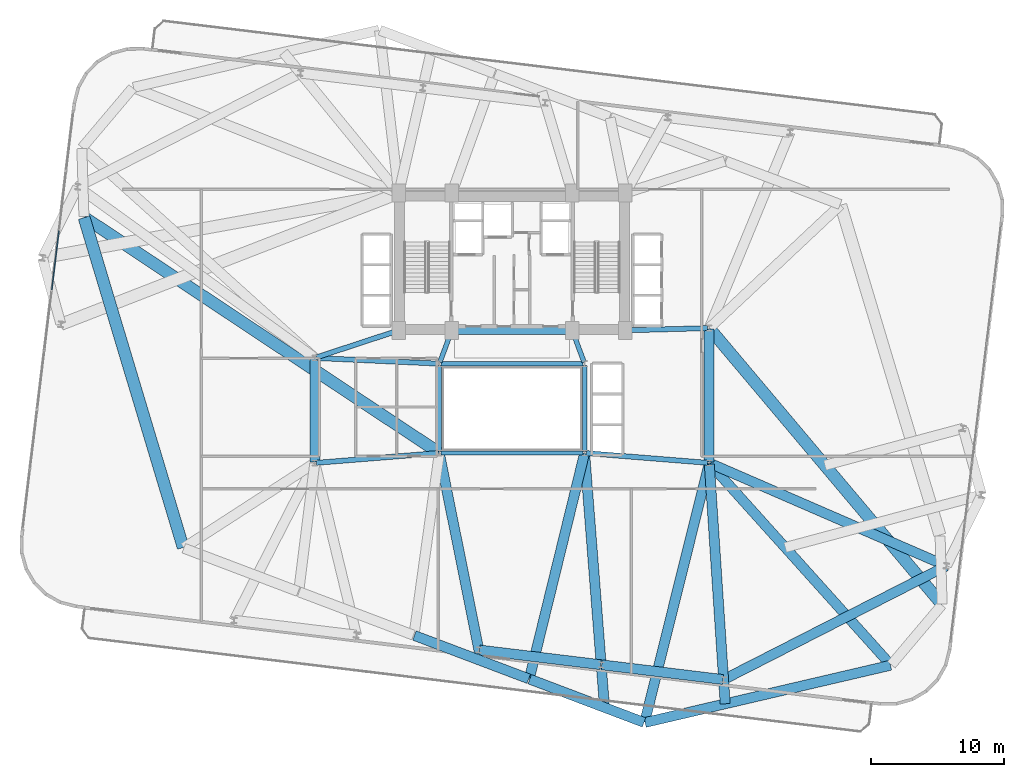
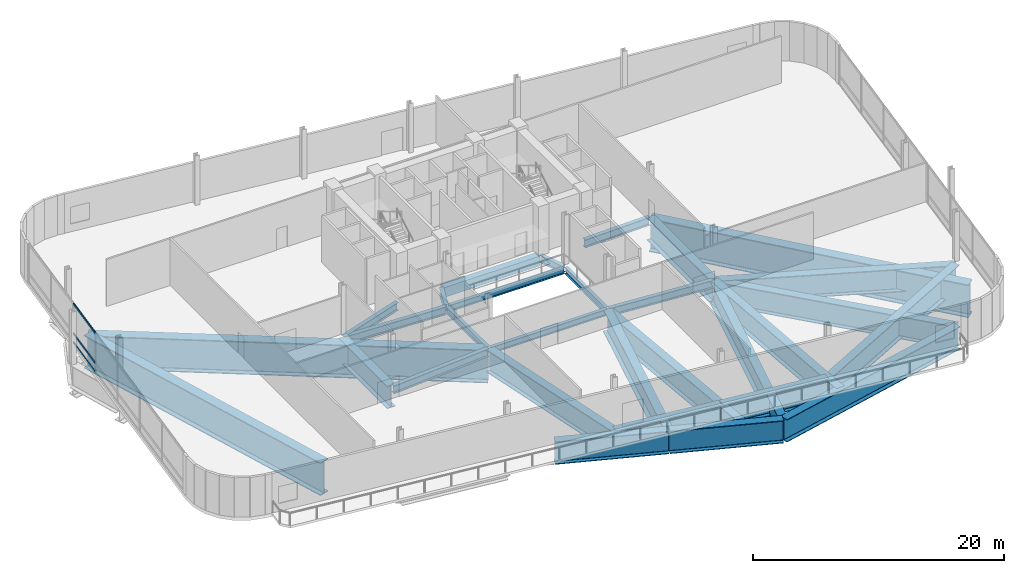
# One storey, part 5 of 22: 30 beams, 3 members, 1 element without a shape of its own.
"""IFC4 building model written with IfcOpenShell, lengths in metres."""

from ifc_helpers import new_model, si_unit, direction, frame, origin, origin_2d, place, context, subcontext, project, spatial, rectangle, hollow_rectangle, i_section, extrude, material, layer, layer_set, material_profile, profile_set, type_object, element, aggregate, save


model = new_model("IFC4")

# Units and contexts
model_context = context("Model", 3, precision=1e-05, world=origin(), true_north=direction((0.0, 1.0)))
body_context = subcontext(model_context, "Body", "Model", "MODEL_VIEW")
ifc_project = project(units=[si_unit("LENGTHUNIT", "METRE"), si_unit("AREAUNIT", "SQUARE_METRE"), si_unit("VOLUMEUNIT", "CUBIC_METRE"), si_unit("PLANEANGLEUNIT", "RADIAN"), si_unit("MASSUNIT", "GRAM", prefix="KILO")], contexts=[model_context])

# Site, building, storey
site_placement = place(None, origin())
site = spatial("IfcSite", under=ifc_project, at=site_placement, CompositionType="ELEMENT")
building_placement = place(site_placement, origin())
building = spatial("IfcBuilding", under=site, at=building_placement, Name="Varnelok Gate Tower", CompositionType="ELEMENT")
storey_placement = place(building_placement, frame((0.0, 0.0, 116.89990234375)))
storey = spatial("IfcBuildingStorey", under=building, at=storey_placement, Name="L29", CompositionType="ELEMENT", Elevation=116.89990234375)

# Beams
ifc_material_1 = material(Name="Concrete C60/75", Category="concrete")
ifc_material_profile_1 = material_profile(ifc_material_1, rectangle(XDim=0.60009765625, YDim=0.949951171875, at=origin_2d()), Name="RC950X600")
ifc_profile_set_1 = profile_set([ifc_material_profile_1], Name="Concrete C60/75")
beam_type_1 = type_object("IfcBeamType", Name="BM-LNT-RC950", PredefinedType="LINTEL", material=ifc_profile_set_1)
beam_1_placement = place(storey_placement, frame((34.800048828125, 28.75, -0.794921875), z_axis=(1.0, 0.0, 0.0), x_axis=(0.0, 1.0, 0.0)))
element("IfcBeam", 1, at=beam_1_placement, inside=storey, type_object=beam_type_1, Name="L29 Core-Atrium Spine Beam 7", PredefinedType="LINTEL", context=body_context, shape_type="SweptSolid", body=[
    extrude(rectangle(XDim=0.60009765625, YDim=0.949951171875, at=origin_2d()), origin(), (0.0, 0.0, 1.0), 8.800048828125),
])
ifc_material_2 = material(Name="Structural Steel ASTM A992 Grade 50", Category="steel")
ifc_material_profile_2 = material_profile(ifc_material_2, i_section(OverallWidth=0.35498046875, OverallDepth=0.696044921875, WebThickness=0.015380859375, FlangeThickness=0.02490234375, FilletRadius=0.02001953125, at=origin_2d()), Name="W27X146")
ifc_profile_set_2 = profile_set([ifc_material_profile_2], Name="Structural Steel ASTM A992 Grade 50")
beam_type_2 = type_object("IfcBeamType", Name="BM-PRI-W27X146", PredefinedType="BEAM", material=ifc_profile_set_2)
for number, where, z_axis, x_axis, name in (
    (2, (33.791748046875, 26.362548828125, -0.66796875), (0.348719329408, 0.937227202602, 0.0), (-0.937227202602, 0.348719329408, 0.0), "L29 Core-Atrium Spine Beam 12"),
    (3, (44.608154296875, 26.362548828125, -0.66796875), (-0.348719329408, 0.937227202602, 0.0), (-0.937227202602, -0.348719329408, 0.0), "L29 Core-Atrium Spine Beam 13"),
):
    element("IfcBeam", number, at=place(storey_placement, frame(where, z_axis=z_axis, x_axis=x_axis)), inside=storey, type_object=beam_type_2, Name=name, PredefinedType="BEAM", context=body_context, shape_type="SweptSolid", body=[
        extrude(i_section(OverallWidth=0.35498046875, OverallDepth=0.696044921875, WebThickness=0.015380859375, FlangeThickness=0.02490234375, FilletRadius=0.02001953125, at=origin_2d()), origin(), (0.0, 0.0, 1.0), 2.42724609375),
    ])
ifc_material_profile_3 = material_profile(ifc_material_2, i_section(OverallWidth=0.381103515625, OverallDepth=0.77294921875, WebThickness=0.0166015625, FlangeThickness=0.027099609375, FilletRadius=0.02197265625, at=origin_2d()), Name="W30X173")
ifc_profile_set_3 = profile_set([ifc_material_profile_3], Name="Structural Steel ASTM A992 Grade 50")
beam_type_3 = type_object("IfcBeamType", Name="BM-PRI-W30X173", PredefinedType="BEAM", material=ifc_profile_set_3)
beam_2_placement = place(storey_placement, frame((24.51953125, 18.8095703125, -0.706298828125), z_axis=(0.996799206292, 0.07994587128, 0.0), x_axis=(-0.07994587128, 0.996799206292, 0.0)))
element("IfcBeam", 4, at=beam_2_placement, inside=storey, type_object=beam_type_3, Name="L29 Core-Atrium Spine Beam 14", PredefinedType="BEAM", context=body_context, shape_type="SweptSolid", body=[
    extrude(i_section(OverallWidth=0.381103515625, OverallDepth=0.77294921875, WebThickness=0.0166015625, FlangeThickness=0.027099609375, FilletRadius=0.02197265625, at=origin_2d()), origin(), (0.0, 0.0, 1.0), 9.14013671875),
])
beam_3_placement = place(storey_placement, frame((24.52001953125, 26.674560546875, -0.706298828125), z_axis=(0.99894427814, -0.045938319209, 0.0), x_axis=(0.045938319209, 0.99894427814, 0.0)))
element("IfcBeam", 5, at=beam_3_placement, inside=storey, type_object=beam_type_3, Name="L29 Core-Atrium Spine Beam 15", PredefinedType="BEAM", context=body_context, shape_type="SweptSolid", body=[
    extrude(i_section(OverallWidth=0.381103515625, OverallDepth=0.77294921875, WebThickness=0.0166015625, FlangeThickness=0.027099609375, FilletRadius=0.02197265625, at=origin_2d()), origin(), (0.0, 0.0, 1.0), 9.11962890625),
])
beam_4_placement = place(storey_placement, frame((24.513916015625, 26.717529296875, -0.706298828125), z_axis=(0.950041943788, 0.312122259768, 0.0), x_axis=(-0.312122259768, 0.950041943788, 0.0)))
element("IfcBeam", 6, at=beam_4_placement, inside=storey, type_object=beam_type_3, Name="L29 Core-Atrium Spine Beam 17", PredefinedType="BEAM", context=body_context, shape_type="SweptSolid", body=[
    extrude(i_section(OverallWidth=0.381103515625, OverallDepth=0.77294921875, WebThickness=0.0166015625, FlangeThickness=0.027099609375, FilletRadius=0.02197265625, at=origin_2d()), origin(), (0.0, 0.0, 1.0), 6.391357421875),
])
beam_5_placement = place(storey_placement, frame((44.76953125, 19.540283203125, -0.706298828125), z_axis=(0.996799206292, -0.07994587128, 0.0), x_axis=(0.07994587128, 0.996799206292, 0.0)))
element("IfcBeam", 7, at=beam_5_placement, inside=storey, type_object=beam_type_3, Name="L29 Core-Atrium Spine Beam 18", PredefinedType="BEAM", context=body_context, shape_type="SweptSolid", body=[
    extrude(i_section(OverallWidth=0.381103515625, OverallDepth=0.77294921875, WebThickness=0.0166015625, FlangeThickness=0.027099609375, FilletRadius=0.02197265625, at=origin_2d()), origin(), (0.0, 0.0, 1.0), 9.14013671875),
])
beam_6_placement = place(storey_placement, frame((47.820068359375, 28.753173828125, -0.706298828125), z_axis=(0.999635880609, 0.026983443053, 0.0), x_axis=(-0.026983443053, 0.999635880609, 0.0)))
element("IfcBeam", 8, at=beam_6_placement, inside=storey, type_object=beam_type_3, Name="L29 Core-Atrium Spine Beam 19", PredefinedType="BEAM", context=body_context, shape_type="SweptSolid", body=[
    extrude(i_section(OverallWidth=0.381103515625, OverallDepth=0.77294921875, WebThickness=0.0166015625, FlangeThickness=0.027099609375, FilletRadius=0.02197265625, at=origin_2d()), origin(), (0.0, 0.0, 1.0), 6.06201171875),
])
ifc_material_profile_4 = material_profile(ifc_material_2, i_section(OverallWidth=0.323974609375, OverallDepth=0.611083984375, WebThickness=0.0126953125, FlangeThickness=0.01904296875, FilletRadius=0.01806640625, at=origin_2d()), Name="W24X104")
ifc_profile_set_4 = profile_set([ifc_material_profile_4], Name="Structural Steel ASTM A992 Grade 50")
beam_type_4 = type_object("IfcBeamType", Name="BM-SPN-W24X104", PredefinedType="SPANDREL", material=ifc_profile_set_4)
for number, where, z_axis, x_axis, name in (
    (9, (33.8701171875, 19.550048828125, -0.62548828125), (1.0, 0.0, 0.0), (0.0, 1.0, 0.0), "L29 Core-Atrium Spine Beam 8"),
    (10, (33.8701171875, 26.25, -0.62548828125), (1.0, 0.0, 0.0), (0.0, 1.0, 0.0), "L29 Core-Atrium Spine Beam 9"),
):
    element("IfcBeam", number, at=place(storey_placement, frame(where, z_axis=z_axis, x_axis=x_axis)), inside=storey, type_object=beam_type_4, Name=name, PredefinedType="SPANDREL", context=body_context, shape_type="SweptSolid", body=[
        extrude(i_section(OverallWidth=0.323974609375, OverallDepth=0.611083984375, WebThickness=0.0126953125, FlangeThickness=0.01904296875, FilletRadius=0.01806640625, at=origin_2d()), origin(), (0.0, 0.0, 1.0), 10.659912109375),
    ])
for number, where, z_axis, x_axis, name in (
    (11, (33.75, 19.669921875, -0.62548828125), (0.0, 1.0, 0.0), (-1.0, 0.0, 0.0), "L29 Core-Atrium Spine Beam 10"),
    (12, (44.64990234375, 19.669921875, -0.62548828125), (0.0, 1.0, 0.0), (-1.0, 0.0, 0.0), "L29 Core-Atrium Spine Beam 11"),
):
    element("IfcBeam", number, at=place(storey_placement, frame(where, z_axis=z_axis, x_axis=x_axis)), inside=storey, type_object=beam_type_4, Name=name, PredefinedType="SPANDREL", context=body_context, shape_type="SweptSolid", body=[
        extrude(i_section(OverallWidth=0.323974609375, OverallDepth=0.611083984375, WebThickness=0.0126953125, FlangeThickness=0.01904296875, FilletRadius=0.01806640625, at=origin_2d()), origin(), (0.0, 0.0, 1.0), 6.4599609375),
    ])
ifc_material_3 = material(Name="Structural Steel ASTM A572 Grade 50", Category="steel")
ifc_material_profile_5 = material_profile(ifc_material_3, i_section(OverallWidth=0.75, OverallDepth=2.199951171875, WebThickness=0.031982421875, FlangeThickness=0.06005859375, FilletRadius=0.028076171875, at=origin_2d()), Name="PG2200X750")
ifc_profile_set_5 = profile_set([ifc_material_profile_5], Name="Structural Steel ASTM A572 Grade 50")
beam_type_5 = type_object("IfcBeamType", Name="BM-TR-PG2200", PredefinedType="BEAM", material=ifc_profile_set_5)
beam_7_placement = place(storey_placement, frame((24.39990234375, 18.8798828125, -1.419921875), z_axis=(0.0, 1.0, 0.0), x_axis=(-1.0, 0.0, 0.0)))
element("IfcBeam", 13, at=beam_7_placement, inside=storey, type_object=beam_type_5, Name="L29 Wing Spine Transfer Header W", PredefinedType="BEAM", context=body_context, shape_type="SweptSolid", body=[
    extrude(i_section(OverallWidth=0.75, OverallDepth=2.199951171875, WebThickness=0.031982421875, FlangeThickness=0.06005859375, FilletRadius=0.028076171875, at=origin_2d()), origin(), (0.0, 0.0, 1.0), 7.72021484375),
])
beam_8_placement = place(storey_placement, frame((54.0, 18.8798828125, -1.419921875), z_axis=(0.0, 1.0, 0.0), x_axis=(-1.0, 0.0, 0.0)))
element("IfcBeam", 14, at=beam_8_placement, inside=storey, type_object=beam_type_5, Name="L29 Wing Spine Transfer Header E", PredefinedType="BEAM", context=body_context, shape_type="SweptSolid", body=[
    extrude(i_section(OverallWidth=0.75, OverallDepth=2.199951171875, WebThickness=0.031982421875, FlangeThickness=0.06005859375, FilletRadius=0.028076171875, at=origin_2d()), origin(), (0.0, 0.0, 1.0), 9.960205078125),
])
beam_9_placement = place(storey_placement, frame((31.8798828125, 5.851806640625, -1.419921875), z_axis=(0.935230515121, -0.354039381407, 0.0), x_axis=(0.354039381407, 0.935230515121, 0.0)))
element("IfcBeam", 15, at=beam_9_placement, inside=storey, type_object=beam_type_5, Name="L29 Transfer Support Ring Girder 3", PredefinedType="BEAM", context=body_context, shape_type="SweptSolid", body=[
    extrude(i_section(OverallWidth=0.75, OverallDepth=2.199951171875, WebThickness=0.031982421875, FlangeThickness=0.06005859375, FilletRadius=0.028076171875, at=origin_2d()), origin(), (0.0, 0.0, 1.0), 9.170166015625),
])
beam_10_placement = place(storey_placement, frame((40.53076171875, 2.576904296875, -1.419921875), z_axis=(0.935218362021, -0.354071483375, 0.0), x_axis=(0.354071483375, 0.935218362021, 0.0)))
element("IfcBeam", 16, at=beam_10_placement, inside=storey, type_object=beam_type_5, Name="L29 Transfer Support Ring Girder 4", PredefinedType="BEAM", context=body_context, shape_type="SweptSolid", body=[
    extrude(i_section(OverallWidth=0.75, OverallDepth=2.199951171875, WebThickness=0.031982421875, FlangeThickness=0.06005859375, FilletRadius=0.028076171875, at=origin_2d()), origin(), (0.0, 0.0, 1.0), 9.169921875),
])
beam_11_placement = place(storey_placement, frame((49.18310546875, -0.675048828125, -1.419921875), z_axis=(0.973876626802, 0.227077774714, 0.0), x_axis=(-0.227077774714, 0.973876626802, 0.0)))
element("IfcBeam", 17, at=beam_11_placement, inside=storey, type_object=beam_type_5, Name="L29 Transfer Support Ring Girder 5", PredefinedType="BEAM", context=body_context, shape_type="SweptSolid", body=[
    extrude(i_section(OverallWidth=0.75, OverallDepth=2.199951171875, WebThickness=0.031982421875, FlangeThickness=0.06005859375, FilletRadius=0.028076171875, at=origin_2d()), origin(), (0.0, 0.0, 1.0), 18.908447265625),
])
beam_12_placement = place(storey_placement, frame((44.640380859375, 19.510986328125, -1.419921875), z_axis=(-0.238048030816, -0.971253383533, 0.0), x_axis=(0.971253383533, -0.238048030816, 0.0)))
element("IfcBeam", 18, at=beam_12_placement, inside=storey, type_object=beam_type_5, Name="L29 Radial Transfer Main Girder 4", PredefinedType="BEAM", context=body_context, shape_type="SweptSolid", body=[
    extrude(i_section(OverallWidth=0.75, OverallDepth=2.199951171875, WebThickness=0.031982421875, FlangeThickness=0.06005859375, FilletRadius=0.028076171875, at=origin_2d()), origin(), (0.0, 0.0, 1.0), 17.380859375),
])
beam_13_placement = place(storey_placement, frame((53.990234375, 18.76123046875, -1.419921875), z_axis=(-0.241820373421, -0.970321032957, 0.0), x_axis=(0.970321032957, -0.241820373421, 0.0)))
element("IfcBeam", 19, at=beam_13_placement, inside=storey, type_object=beam_type_5, Name="L29 Radial Transfer Main Girder 5", PredefinedType="BEAM", context=body_context, shape_type="SweptSolid", body=[
    extrude(i_section(OverallWidth=0.75, OverallDepth=2.199951171875, WebThickness=0.031982421875, FlangeThickness=0.06005859375, FilletRadius=0.028076171875, at=origin_2d()), origin(), (0.0, 0.0, 1.0), 20.0),
])
beam_14_placement = place(storey_placement, frame((54.026611328125, 18.770263671875, -1.419921875), z_axis=(0.668474704589, -0.743734878383, 0.0), x_axis=(0.743734878383, 0.668474704589, 0.0)))
element("IfcBeam", 20, at=beam_14_placement, inside=storey, type_object=beam_type_5, Name="L29 Radial Transfer Main Girder 6", PredefinedType="BEAM", context=body_context, shape_type="SweptSolid", body=[
    extrude(i_section(OverallWidth=0.75, OverallDepth=2.199951171875, WebThickness=0.031982421875, FlangeThickness=0.06005859375, FilletRadius=0.028076171875, at=origin_2d()), origin(), (0.0, 0.0, 1.0), 20.320068359375),
])
beam_15_placement = place(storey_placement, frame((33.76953125, 19.451904296875, -1.419921875), z_axis=(0.196460855837, -0.98051166853, 0.0), x_axis=(0.98051166853, 0.196460855837, 0.0)))
element("IfcBeam", 21, at=beam_15_placement, inside=storey, type_object=beam_type_5, Name="L29 Column Transfer Carrier Girder 3", PredefinedType="BEAM", context=body_context, shape_type="SweptSolid", body=[
    extrude(i_section(OverallWidth=0.75, OverallDepth=2.199951171875, WebThickness=0.031982421875, FlangeThickness=0.06005859375, FilletRadius=0.028076171875, at=origin_2d()), origin(), (0.0, 0.0, 1.0), 15.79833984375),
])
beam_16_placement = place(storey_placement, frame((44.65771484375, 19.4501953125, -1.419921875), z_axis=(0.078045441319, -0.996949802693, 0.0), x_axis=(0.996949802693, 0.078045441319, 0.0)))
element("IfcBeam", 22, at=beam_16_placement, inside=storey, type_object=beam_type_5, Name="L29 Column Transfer Carrier Girder 4", PredefinedType="BEAM", context=body_context, shape_type="SweptSolid", body=[
    extrude(i_section(OverallWidth=0.75, OverallDepth=2.199951171875, WebThickness=0.031982421875, FlangeThickness=0.06005859375, FilletRadius=0.028076171875, at=origin_2d()), origin(), (0.0, 0.0, 1.0), 19.056884765625),
])
beam_17_placement = place(storey_placement, frame((54.006591796875, 18.7001953125, -1.419921875), z_axis=(0.06608989052, -0.997813673173, 0.0), x_axis=(0.997813673173, 0.06608989052, 0.0)))
element("IfcBeam", 23, at=beam_17_placement, inside=storey, type_object=beam_type_5, Name="L29 Column Transfer Carrier Girder 5", PredefinedType="BEAM", context=body_context, shape_type="SweptSolid", body=[
    extrude(i_section(OverallWidth=0.75, OverallDepth=2.199951171875, WebThickness=0.031982421875, FlangeThickness=0.06005859375, FilletRadius=0.028076171875, at=origin_2d()), origin(), (0.0, 0.0, 1.0), 18.01220703125),
])
beam_18_placement = place(storey_placement, frame((54.091796875, 18.76025390625, -1.419921875), z_axis=(0.917261829787, -0.398284741881, 0.0), x_axis=(0.398284741881, 0.917261829787, 0.0)))
element("IfcBeam", 24, at=beam_18_placement, inside=storey, type_object=beam_type_5, Name="L29 Column Transfer Carrier Girder 6", PredefinedType="BEAM", context=body_context, shape_type="SweptSolid", body=[
    extrude(i_section(OverallWidth=0.75, OverallDepth=2.199951171875, WebThickness=0.031982421875, FlangeThickness=0.06005859375, FilletRadius=0.028076171875, at=origin_2d()), origin(), (0.0, 0.0, 1.0), 19.2978515625),
])
beam_19_placement = place(storey_placement, frame((36.7509765625, 4.765380859375, -1.419921875), z_axis=(0.992732625466, -0.120340908818, 0.0), x_axis=(0.120340908818, 0.992732625466, 0.0)))
element("IfcBeam", 25, at=beam_19_placement, inside=storey, type_object=beam_type_5, Name="L29 Upper Perimeter Transfer Ring 3", PredefinedType="BEAM", context=body_context, shape_type="SweptSolid", body=[
    extrude(i_section(OverallWidth=0.75, OverallDepth=2.199951171875, WebThickness=0.031982421875, FlangeThickness=0.06005859375, FilletRadius=0.028076171875, at=origin_2d()), origin(), (0.0, 0.0, 1.0), 9.169921875),
])
beam_20_placement = place(storey_placement, frame((45.93359375, 3.65234375, -1.419921875), z_axis=(0.992729830166, -0.120363965946, 0.0), x_axis=(0.120363965946, 0.992729830166, 0.0)))
element("IfcBeam", 26, at=beam_20_placement, inside=storey, type_object=beam_type_5, Name="L29 Upper Perimeter Transfer Ring 4", PredefinedType="BEAM", context=body_context, shape_type="SweptSolid", body=[
    extrude(i_section(OverallWidth=0.75, OverallDepth=2.199951171875, WebThickness=0.031982421875, FlangeThickness=0.06005859375, FilletRadius=0.028076171875, at=origin_2d()), origin(), (0.0, 0.0, 1.0), 9.170166015625),
])
beam_21_placement = place(storey_placement, frame((55.1123046875, 2.56201171875, -1.419921875), z_axis=(0.890728514635, 0.454535711706, 0.0), x_axis=(-0.454535711706, 0.890728514635, 0.0)))
element("IfcBeam", 27, at=beam_21_placement, inside=storey, type_object=beam_type_5, Name="L29 Upper Perimeter Transfer Ring 5", PredefinedType="BEAM", context=body_context, shape_type="SweptSolid", body=[
    extrude(i_section(OverallWidth=0.75, OverallDepth=2.199951171875, WebThickness=0.031982421875, FlangeThickness=0.06005859375, FilletRadius=0.028076171875, at=origin_2d()), origin(), (0.0, 0.0, 1.0), 18.68701171875),
])
ifc_material_profile_6 = material_profile(ifc_material_3, i_section(OverallWidth=0.89990234375, OverallDepth=3.199951171875, WebThickness=0.0400390625, FlangeThickness=0.074951171875, FilletRadius=0.030029296875, at=origin_2d()), Name="PG3200X900")
ifc_profile_set_6 = profile_set([ifc_material_profile_6], Name="Structural Steel ASTM A572 Grade 50")
beam_type_6 = type_object("IfcBeamType", Name="BM-TR-PG3200", PredefinedType="BEAM", material=ifc_profile_set_6)
beam_22_placement = place(storey_placement, frame((7.092529296875, 37.207763671875, -1.919921875), z_axis=(0.287740428783, -0.957708434569, 0.0), x_axis=(0.957708434569, 0.287740428783, 0.0)))
element("IfcBeam", 28, at=beam_22_placement, inside=storey, type_object=beam_type_6, Name="L29 Transfer Support Ring Girder 16", PredefinedType="BEAM", context=body_context, shape_type="SweptSolid", body=[
    extrude(i_section(OverallWidth=0.89990234375, OverallDepth=3.199951171875, WebThickness=0.0400390625, FlangeThickness=0.074951171875, FilletRadius=0.030029296875, at=origin_2d()), origin(), (0.0, 0.0, 1.0), 25.84619140625),
])
beam_23_placement = place(storey_placement, frame((54.02587890625, 28.889404296875, -1.919921875), z_axis=(0.644239142297, -0.764824115423, 0.0), x_axis=(0.764824115423, 0.644239142297, 0.0)))
element("IfcBeam", 29, at=beam_23_placement, inside=storey, type_object=beam_type_6, Name="L29 Radial Transfer Main Girder 7", PredefinedType="BEAM", context=body_context, shape_type="SweptSolid", body=[
    extrude(i_section(OverallWidth=0.89990234375, OverallDepth=3.199951171875, WebThickness=0.0400390625, FlangeThickness=0.074951171875, FilletRadius=0.030029296875, at=origin_2d()), origin(), (0.0, 0.0, 1.0), 27.047119140625),
])
beam_24_placement = place(storey_placement, frame((33.716796875, 19.572021484375, -1.919921875), z_axis=(-0.833250687703, 0.552895371153, 0.0), x_axis=(-0.552895371153, -0.833250687703, 0.0)))
element("IfcBeam", 30, at=beam_24_placement, inside=storey, type_object=beam_type_6, Name="L29 Radial Transfer Main Girder 16", PredefinedType="BEAM", context=body_context, shape_type="SweptSolid", body=[
    extrude(i_section(OverallWidth=0.89990234375, OverallDepth=3.199951171875, WebThickness=0.0400390625, FlangeThickness=0.074951171875, FilletRadius=0.030029296875, at=origin_2d()), origin(), (0.0, 0.0, 1.0), 31.92626953125),
])

# Curtain wall, members
ifc_material_4 = material(Name="Anodized Aluminum Alloy 6063-T6", Category="aluminium")
ifc_layer = layer(ifc_material_4, 0.179931640625)
ifc_layer_set = layer_set([ifc_layer], Name="Anodized Aluminum Alloy 6063-T6")
curtain_wall_type = type_object("IfcCurtainWallType", Name="CW2-ATRIUM-GLAZING", PredefinedType="USERDEFINED", material=ifc_layer_set)
curtain_wall_placement = place(storey_placement, origin())
curtain_wall = element("IfcCurtainWall", 31, at=curtain_wall_placement, inside=storey, type_object=curtain_wall_type, Name="L29 West End Vision Curtain Wall", ObjectType="UNITISED CURTAIN WALL", PredefinedType="USERDEFINED")
ifc_material_profile_7 = material_profile(ifc_material_4, hollow_rectangle(XDim=0.074951171875, YDim=0.199951171875, WallThickness=0.00390625, at=origin_2d()), Name="ALU200X75X4")
ifc_profile_set_7 = profile_set([ifc_material_profile_7], Name="Anodized Aluminum Alloy 6063-T6")
member_type = type_object("IfcMemberType", Name="CW-TRAN-200", PredefinedType="USERDEFINED", material=ifc_profile_set_7)
member_1_placement = place(storey_placement, frame((4.6708984375, 31.79736328125, 0.03759765625), z_axis=(0.120385566713, 0.992727210933, 0.0), x_axis=(-0.992727210933, 0.120385566713, 0.0)))
member_1 = element("IfcMember", 32, at=member_1_placement, type_object=member_type, Name="CW2 transom 5.1", ObjectType="TRANSOM", PredefinedType="USERDEFINED", context=body_context, shape_type="SweptSolid", body=[
    extrude(hollow_rectangle(XDim=0.074951171875, YDim=0.199951171875, WallThickness=0.00390625, at=origin_2d()), origin(), (0.0, 0.0, 1.0), 4.439208984375),
])
member_2_placement = place(storey_placement, frame((4.6708984375, 31.79736328125, 0.900146484375), z_axis=(0.120385566713, 0.992727210933, 0.0), x_axis=(-0.992727210933, 0.120385566713, 0.0)))
member_2 = element("IfcMember", 33, at=member_2_placement, type_object=member_type, Name="CW2 transom 5.2", ObjectType="TRANSOM", PredefinedType="USERDEFINED", context=body_context, shape_type="SweptSolid", body=[
    extrude(hollow_rectangle(XDim=0.074951171875, YDim=0.199951171875, WallThickness=0.00390625, at=origin_2d()), origin(), (0.0, 0.0, 1.0), 4.439208984375),
])
member_3_placement = place(storey_placement, frame((4.6708984375, 31.79736328125, 3.79248046875), z_axis=(0.120385566713, 0.992727210933, 0.0), x_axis=(-0.992727210933, 0.120385566713, 0.0)))
member_3 = element("IfcMember", 34, at=member_3_placement, type_object=member_type, Name="CW2 transom 5.3", ObjectType="TRANSOM", PredefinedType="USERDEFINED", context=body_context, shape_type="SweptSolid", body=[
    extrude(hollow_rectangle(XDim=0.074951171875, YDim=0.199951171875, WallThickness=0.00390625, at=origin_2d()), origin(), (0.0, 0.0, 1.0), 4.439208984375),
])
aggregate(curtain_wall, [member_1, member_2, member_3])

save(model, "model.ifc")
